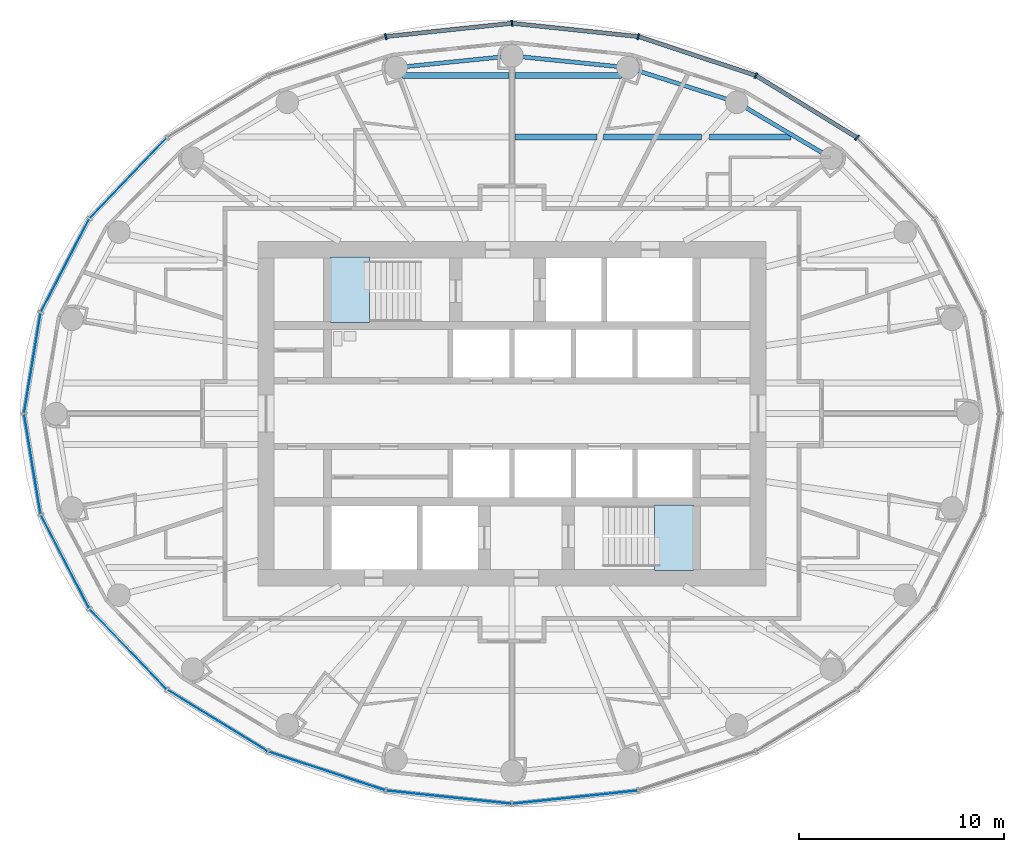
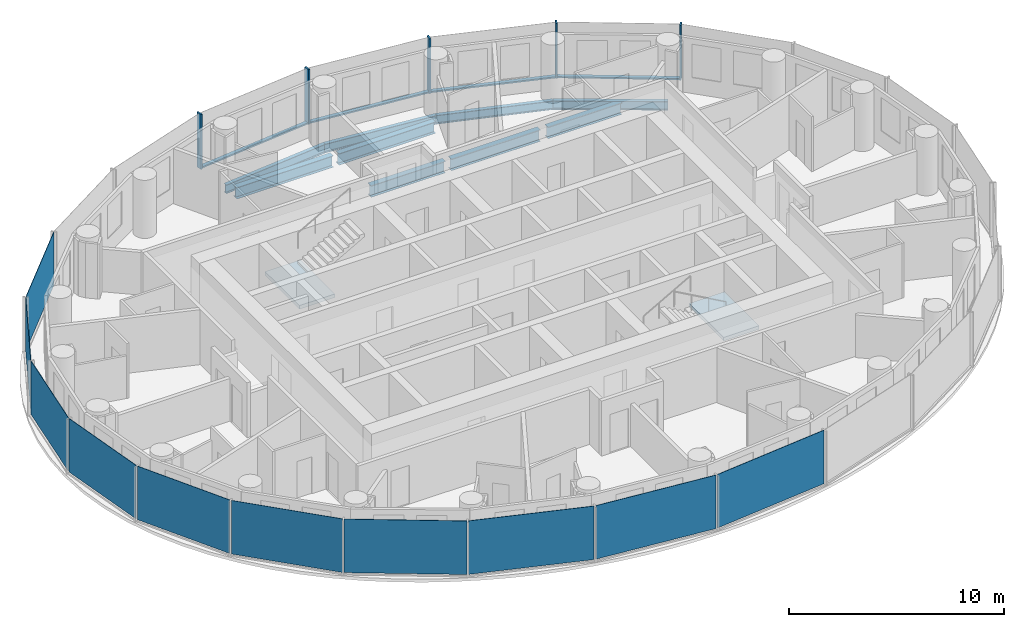
# One storey, part 4 of 16: 10 plates, 9 beams, 9 members, 2 slabs, 6 elements without a shape of their own.
"""IFC4 building model written with IfcOpenShell, lengths in metres."""

from ifc_helpers import new_model, si_unit, direction, frame, origin, origin_2d, place, context, subcontext, project, spatial, polyline, rectangle, i_section, outline, extrude, material, layer, layer_set, material_profile, profile_set, type_object, element, aggregate, save


model = new_model("IFC4")

# Units and contexts
model_context = context("Model", 3, precision=1e-05, world=origin(), true_north=direction((0.0, 1.0)))
body_context = subcontext(model_context, "Body", "Model", "MODEL_VIEW")
ifc_project = project(units=[si_unit("LENGTHUNIT", "METRE"), si_unit("AREAUNIT", "SQUARE_METRE"), si_unit("VOLUMEUNIT", "CUBIC_METRE"), si_unit("PLANEANGLEUNIT", "RADIAN"), si_unit("MASSUNIT", "GRAM", prefix="KILO")], contexts=[model_context])

# Site, building, storey
site_placement = place(None, origin())
site = spatial("IfcSite", under=ifc_project, at=site_placement, CompositionType="ELEMENT")
building_placement = place(site_placement, origin())
building = spatial("IfcBuilding", under=site, at=building_placement, Name="Hankou Lantern Tower", CompositionType="ELEMENT")
storey_placement = place(building_placement, frame((0.0, 0.0, 146.699951171875)))
storey = spatial("IfcBuildingStorey", under=building, at=storey_placement, Name="L38", CompositionType="ELEMENT", Elevation=146.699951171875)

# Beams
ifc_material_1 = material(Name="Steel Q355B", Category="steel")
ifc_material_profile_1 = material_profile(ifc_material_1, i_section(OverallWidth=0.199951171875, OverallDepth=0.5, WebThickness=0.010009765625, FlangeThickness=0.01611328125, FilletRadius=0.012939453125, at=origin_2d()), Name="HN500x200x10x16")
ifc_profile_set_1 = profile_set([ifc_material_profile_1], Name="Steel Q355B")
beam_type_1 = type_object("IfcBeamType", Name="EB5 RING BEAM HN500x200x10x16", PredefinedType="SPANDREL", material=ifc_profile_set_1)
beam_1_placement = place(storey_placement, frame((15.576171875, 12.4609375, -0.429931640625), z_axis=(-0.861135888339, 0.508374843806, 0.0), x_axis=(-0.508374843806, -0.861135888339, 0.0)))
element("IfcBeam", 1, at=beam_1_placement, inside=storey, type_object=beam_type_1, Name="Ring beam R04-R05 L38", PredefinedType="SPANDREL", context=body_context, shape_type="SweptSolid", body=[
    extrude(i_section(OverallWidth=0.199951171875, OverallDepth=0.5, WebThickness=0.010009765625, FlangeThickness=0.01611328125, FilletRadius=0.012939453125, at=origin_2d()), origin(), (0.0, 0.0, 1.0), 5.36083984375),
])
beam_2_placement = place(storey_placement, frame((10.959716796875, 15.186279296875, -0.429931640625), z_axis=(-0.952790404271, 0.30362879562, 0.0), x_axis=(-0.30362879562, -0.952790404271, 0.0)))
element("IfcBeam", 2, at=beam_2_placement, inside=storey, type_object=beam_type_1, Name="Ring beam R05-R06 L38", PredefinedType="SPANDREL", context=body_context, shape_type="SweptSolid", body=[
    extrude(i_section(OverallWidth=0.199951171875, OverallDepth=0.5, WebThickness=0.010009765625, FlangeThickness=0.01611328125, FilletRadius=0.012939453125, at=origin_2d()), origin(), (0.0, 0.0, 1.0), 5.56982421875),
])
for number, where, z_axis, x_axis, name in (
    (3, (5.65283203125, 16.87744140625, -0.429931640625), (-0.9949104636, 0.100762936734, 0.0), (-0.100762936734, -0.9949104636, 0.0), "Ring beam R06-R07 L38"),
    (4, (0.0, 17.449951171875, -0.429931640625), (-0.9949104636, -0.100762936734, 0.0), (0.100762936734, -0.9949104636, 0.0), "Ring beam R07-R08 L38"),
):
    element("IfcBeam", number, at=place(storey_placement, frame(where, z_axis=z_axis, x_axis=x_axis)), inside=storey, type_object=beam_type_1, Name=name, PredefinedType="SPANDREL", context=body_context, shape_type="SweptSolid", body=[
        extrude(i_section(OverallWidth=0.199951171875, OverallDepth=0.5, WebThickness=0.010009765625, FlangeThickness=0.01611328125, FilletRadius=0.012939453125, at=origin_2d()), origin(), (0.0, 0.0, 1.0), 5.681640625),
    ])

# Curtain wall, members
ifc_material_2 = material(Name="Glass, dark grey tinted laminated", Category="glass")
curtain_wall_type = type_object("IfcCurtainWallType", Name="CWC OUTER SKIN HIGH-RISE", PredefinedType="USERDEFINED", material=ifc_material_2)
curtain_wall_1_placement = place(storey_placement, origin())
curtain_wall_1 = element("IfcCurtainWall", 5, at=curtain_wall_1_placement, inside=storey, type_object=curtain_wall_type, Name="CWC L38 OS1", ObjectType="OUTER SKIN HIGH-RISE", PredefinedType="USERDEFINED")
ifc_material_3 = material(Name="Aluminium, black anodised", Category="aluminium")
ifc_material_profile_2 = material_profile(ifc_material_3, rectangle(XDim=0.080078125, YDim=0.300048828125, at=origin_2d()), Name="MU1 80X300")
ifc_profile_set_2 = profile_set([ifc_material_profile_2], Name="Aluminium, black anodised")
member_type_1 = type_object("IfcMemberType", Name="MU1 OUTER SKIN MULLION 80X300", PredefinedType="MULLION", material=ifc_profile_set_2)
member_1_placement = place(storey_placement, frame((16.8291015625, 13.46337890625, 0.0), z_axis=(0.0, 0.0, 1.0), x_axis=(-0.780868809444, 0.624695047553, 0.0)))
member_1 = element("IfcMember", 6, at=member_1_placement, type_object=member_type_1, Name="CWC mullion 4", PredefinedType="MULLION", context=body_context, shape_type="SweptSolid", body=[
    extrude(rectangle(XDim=0.080078125, YDim=0.300048828125, at=origin_2d()), origin(), (0.0, 0.0, 1.0), 3.1201171875),
])
member_2_placement = place(storey_placement, frame((11.89990234375, 16.489013671875, 0.0), z_axis=(0.0, 0.0, 1.0), x_axis=(-0.907841299004, 0.419313934686, 0.0)))
member_2 = element("IfcMember", 7, at=member_2_placement, type_object=member_type_1, Name="CWC mullion 5", PredefinedType="MULLION", context=body_context, shape_type="SweptSolid", body=[
    extrude(rectangle(XDim=0.080078125, YDim=0.300048828125, at=origin_2d()), origin(), (0.0, 0.0, 1.0), 3.1201171875),
])
member_3_placement = place(storey_placement, frame((6.159912109375, 18.39111328125, 0.0), z_axis=(0.0, 0.0, 1.0), x_axis=(-0.977787659625, 0.209597931016, 0.0)))
member_3 = element("IfcMember", 8, at=member_3_placement, type_object=member_type_1, Name="CWC mullion 6", PredefinedType="MULLION", context=body_context, shape_type="SweptSolid", body=[
    extrude(rectangle(XDim=0.080078125, YDim=0.300048828125, at=origin_2d()), origin(), (0.0, 0.0, 1.0), 3.1201171875),
])

curtain_wall_2_placement = place(storey_placement, origin())
curtain_wall_2 = element("IfcCurtainWall", 9, at=curtain_wall_2_placement, inside=storey, type_object=curtain_wall_type, Name="CWC L38 OS2", ObjectType="OUTER SKIN HIGH-RISE", PredefinedType="USERDEFINED")
member_4_placement = place(storey_placement, frame((0.0, 19.0400390625, 0.0), z_axis=(0.0, 0.0, 1.0), x_axis=(-0.994499359107, -0.104742659579, 0.0)))
member_4 = element("IfcMember", 10, at=member_4_placement, type_object=member_type_1, Name="CWC mullion 1", PredefinedType="MULLION", context=body_context, shape_type="SweptSolid", body=[
    extrude(rectangle(XDim=0.080078125, YDim=0.300048828125, at=origin_2d()), origin(), (0.0, 0.0, 1.0), 3.1201171875),
])
member_5_placement = place(storey_placement, frame((-6.159912109375, 18.39111328125, 0.0), z_axis=(0.0, 0.0, 1.0), x_axis=(-0.977787659625, -0.209597931016, 0.0)))
member_5 = element("IfcMember", 11, at=member_5_placement, type_object=member_type_1, Name="CWC mullion 2", PredefinedType="MULLION", context=body_context, shape_type="SweptSolid", body=[
    extrude(rectangle(XDim=0.080078125, YDim=0.300048828125, at=origin_2d()), origin(), (0.0, 0.0, 1.0), 3.1201171875),
])

# Beams
ifc_material_4 = material(Name="Steel Q355B", Category="steel")
ifc_material_profile_3 = material_profile(ifc_material_4, i_section(OverallWidth=0.300048828125, OverallDepth=0.64990234375, WebThickness=0.010986328125, FlangeThickness=0.01708984375, FilletRadius=0.01806640625, at=origin_2d()), Name="HN650x300x11x17")
ifc_profile_set_3 = profile_set([ifc_material_profile_3], Name="Steel Q355B")
beam_type_2 = type_object("IfcBeamType", Name="SB8 SECONDARY BEAM HN650x300x11x17", PredefinedType="JOIST", material=ifc_profile_set_3)
beam_3_placement = place(storey_placement, frame((0.14990234375, 13.5, -0.5048828125), z_axis=(1.0, 0.0, 0.0), x_axis=(0.0, 1.0, 0.0)))
element("IfcBeam", 12, at=beam_3_placement, inside=storey, type_object=beam_type_2, Name="Floor joist J038 L38", PredefinedType="JOIST", context=body_context, shape_type="SweptSolid", body=[
    extrude(i_section(OverallWidth=0.300048828125, OverallDepth=0.64990234375, WebThickness=0.010986328125, FlangeThickness=0.01708984375, FilletRadius=0.01806640625, at=origin_2d()), origin(), (0.0, 0.0, 1.0), 3.986083984375),
])
beam_4_placement = place(storey_placement, frame((4.459228515625, 13.5, -0.5048828125), z_axis=(1.0, 0.0, 0.0), x_axis=(0.0, 1.0, 0.0)))
element("IfcBeam", 13, at=beam_4_placement, inside=storey, type_object=beam_type_2, Name="Floor joist J039 L38", PredefinedType="JOIST", context=body_context, shape_type="SweptSolid", body=[
    extrude(i_section(OverallWidth=0.300048828125, OverallDepth=0.64990234375, WebThickness=0.010986328125, FlangeThickness=0.01708984375, FilletRadius=0.01806640625, at=origin_2d()), origin(), (0.0, 0.0, 1.0), 4.780517578125),
])
beam_5_placement = place(storey_placement, frame((9.643310546875, 13.5, -0.5048828125), z_axis=(1.0, 0.0, 0.0), x_axis=(0.0, 1.0, 0.0)))
element("IfcBeam", 14, at=beam_5_placement, inside=storey, type_object=beam_type_2, Name="Floor joist J040 L38", PredefinedType="JOIST", context=body_context, shape_type="SweptSolid", body=[
    extrude(i_section(OverallWidth=0.300048828125, OverallDepth=0.64990234375, WebThickness=0.010986328125, FlangeThickness=0.01708984375, FilletRadius=0.01806640625, at=origin_2d()), origin(), (0.0, 0.0, 1.0), 3.97607421875),
])
for number, where, z_axis, x_axis, name in (
    (15, (-5.33984375, 16.5, -0.5048828125), (1.0, 0.0, 0.0), (0.0, 1.0, 0.0), "Floor joist J041 L38"),
    (16, (0.14990234375, 16.5, -0.5048828125), (1.0, 0.0, 0.0), (0.0, 1.0, 0.0), "Floor joist J042 L38"),
):
    element("IfcBeam", number, at=place(storey_placement, frame(where, z_axis=z_axis, x_axis=x_axis)), inside=storey, type_object=beam_type_2, Name=name, PredefinedType="JOIST", context=body_context, shape_type="SweptSolid", body=[
        extrude(i_section(OverallWidth=0.300048828125, OverallDepth=0.64990234375, WebThickness=0.010986328125, FlangeThickness=0.01708984375, FilletRadius=0.01806640625, at=origin_2d()), origin(), (0.0, 0.0, 1.0), 5.18994140625),
    ])

# Member
ifc_material_5 = material(Name="Aluminium, black anodised", Category="aluminium")
ifc_material_profile_4 = material_profile(ifc_material_5, rectangle(XDim=0.199951171875, YDim=0.080078125, at=origin_2d()), Name="TR1 200X80")
ifc_profile_set_4 = profile_set([ifc_material_profile_4], Name="Aluminium, black anodised")
member_type_2 = type_object("IfcMemberType", Name="TR1 OUTER SKIN TRANSOM 200X80", PredefinedType="USERDEFINED", material=ifc_profile_set_4)
member_6_placement = place(storey_placement, frame((16.795166015625, 13.484130859375, 0.0400390625), z_axis=(-0.852229482357, 0.523168146394, 0.0), x_axis=(-0.523168146394, -0.852229482357, 0.0)))
member_6 = element("IfcMember", 17, at=member_6_placement, type_object=member_type_2, Name="CWC transom 4", ObjectType="TRANSOM", PredefinedType="USERDEFINED", context=body_context, shape_type="SweptSolid", body=[
    extrude(rectangle(XDim=0.199951171875, YDim=0.080078125, at=origin_2d()), origin(), (0.0, 0.0, 1.0), 5.703857421875),
])

member_7_placement = place(storey_placement, frame((11.862060546875, 16.501708984375, 0.0400390625), z_axis=(-0.949242327551, 0.314545709849, 0.0), x_axis=(-0.314545709849, -0.949242327551, 0.0)))
member_7 = element("IfcMember", 18, at=member_7_placement, type_object=member_type_2, Name="CWC transom 5", ObjectType="TRANSOM", PredefinedType="USERDEFINED", context=body_context, shape_type="SweptSolid", body=[
    extrude(rectangle(XDim=0.199951171875, YDim=0.080078125, at=origin_2d()), origin(), (0.0, 0.0, 1.0), 5.96728515625),
])

member_8_placement = place(storey_placement, frame((6.1201171875, 18.3955078125, 0.0400390625), z_axis=(-0.994499543631, 0.104740907567, 0.0), x_axis=(-0.104740907567, -0.994499543631, 0.0)))
member_8 = element("IfcMember", 19, at=member_8_placement, type_object=member_type_2, Name="CWC transom 6", ObjectType="TRANSOM", PredefinedType="USERDEFINED", context=body_context, shape_type="SweptSolid", body=[
    extrude(rectangle(XDim=0.199951171875, YDim=0.080078125, at=origin_2d()), origin(), (0.0, 0.0, 1.0), 6.114013671875),
])

aggregate(curtain_wall_1, [member_1, member_2, member_3, member_6, member_7, member_8])

member_9_placement = place(storey_placement, frame((-0.039794921875, 19.035888671875, 0.0400390625), z_axis=(-0.994499543631, -0.104740907567, 0.0), x_axis=(0.104740907567, -0.994499543631, 0.0)))
member_9 = element("IfcMember", 20, at=member_9_placement, type_object=member_type_2, Name="CWC transom 1", ObjectType="TRANSOM", PredefinedType="USERDEFINED", context=body_context, shape_type="SweptSolid", body=[
    extrude(rectangle(XDim=0.199951171875, YDim=0.080078125, at=origin_2d()), origin(), (0.0, 0.0, 1.0), 6.114013671875),
])

# Plate
ifc_material_6 = material(Name="Glass, dark grey tinted laminated", Category="glass")
ifc_layer_1 = layer(ifc_material_6, 0.02392578125)
ifc_layer_set_1 = layer_set([ifc_layer_1], Name="Glass, dark grey tinted laminated")
plate_type = type_object("IfcPlateType", Name="PN1 OUTER SKIN GLASS PANEL", PredefinedType="CURTAIN_PANEL", material=ifc_layer_set_1)
plate_1_placement = place(storey_placement, frame((-18.72021484375, 11.49169921875, 0.080078125), z_axis=(0.0, 0.0, 1.0), x_axis=(-0.692215809936, -0.721690565599, 0.0)))
plate_1 = element("IfcPlate", 21, at=plate_1_placement, type_object=plate_type, Name="CWC glass panel 4", PredefinedType="CURTAIN_PANEL", context=body_context, shape_type="SweptSolid", body=[
    extrude(rectangle(XDim=5.384033203125, YDim=0.02392578125, at=origin_2d()), origin(), (0.0, 0.0, 1.0), 3.0400390625),
])

plate_2_placement = place(storey_placement, frame((-21.80029296875, 7.223876953125, 0.080078125), z_axis=(0.0, 0.0, 1.0), x_axis=(-0.459791091957, -0.888027112062, 0.0)))
plate_2 = element("IfcPlate", 22, at=plate_2_placement, type_object=plate_type, Name="CWC glass panel 5", PredefinedType="CURTAIN_PANEL", context=body_context, shape_type="SweptSolid", body=[
    extrude(rectangle(XDim=5.091064453125, YDim=0.02392578125, at=origin_2d()), origin(), (0.0, 0.0, 1.0), 3.0400390625),
])

plate_3_placement = place(storey_placement, frame((-23.39453125, 2.4638671875, 0.080078125), z_axis=(0.0, 0.0, 1.0), x_axis=(-0.162381515188, -0.986728049427, 0.0)))
plate_3 = element("IfcPlate", 23, at=plate_3_placement, type_object=plate_type, Name="CWC glass panel 6", PredefinedType="CURTAIN_PANEL", context=body_context, shape_type="SweptSolid", body=[
    extrude(rectangle(XDim=4.914306640625, YDim=0.02392578125, at=origin_2d()), origin(), (0.0, 0.0, 1.0), 3.0400390625),
])

aggregate(curtain_wall_2, [member_4, member_5, member_9, plate_1, plate_2, plate_3])

# Curtain wall, plates
curtain_wall_3_placement = place(storey_placement, origin())
curtain_wall_3 = element("IfcCurtainWall", 24, at=curtain_wall_3_placement, inside=storey, type_object=curtain_wall_type, Name="CWC L38 OS3", ObjectType="OUTER SKIN HIGH-RISE", PredefinedType="USERDEFINED")
plate_4_placement = place(storey_placement, frame((-23.39453125, -2.4638671875, 0.080078125), z_axis=(0.0, 0.0, 1.0), x_axis=(0.162381515188, -0.986728049427, 0.0)))
plate_4 = element("IfcPlate", 25, at=plate_4_placement, type_object=plate_type, Name="CWC glass panel 1", PredefinedType="CURTAIN_PANEL", context=body_context, shape_type="SweptSolid", body=[
    extrude(rectangle(XDim=4.914306640625, YDim=0.02392578125, at=origin_2d()), origin(), (0.0, 0.0, 1.0), 3.0400390625),
])
plate_5_placement = place(storey_placement, frame((-21.80029296875, -7.223876953125, 0.080078125), z_axis=(0.0, 0.0, 1.0), x_axis=(0.459791091957, -0.888027112062, 0.0)))
plate_5 = element("IfcPlate", 26, at=plate_5_placement, type_object=plate_type, Name="CWC glass panel 2", PredefinedType="CURTAIN_PANEL", context=body_context, shape_type="SweptSolid", body=[
    extrude(rectangle(XDim=5.091064453125, YDim=0.02392578125, at=origin_2d()), origin(), (0.0, 0.0, 1.0), 3.0400390625),
])
plate_6_placement = place(storey_placement, frame((-18.72021484375, -11.49169921875, 0.080078125), z_axis=(0.0, 0.0, 1.0), x_axis=(0.692215809936, -0.721690565599, 0.0)))
plate_6 = element("IfcPlate", 27, at=plate_6_placement, type_object=plate_type, Name="CWC glass panel 3", PredefinedType="CURTAIN_PANEL", context=body_context, shape_type="SweptSolid", body=[
    extrude(rectangle(XDim=5.384033203125, YDim=0.02392578125, at=origin_2d()), origin(), (0.0, 0.0, 1.0), 3.0400390625),
])
plate_7_placement = place(storey_placement, frame((-14.364501953125, -14.976318359375, 0.080078125), z_axis=(0.0, 0.0, 1.0), x_axis=(0.852237151549, -0.523155653242, 0.0)))
plate_7 = element("IfcPlate", 28, at=plate_7_placement, type_object=plate_type, Name="CWC glass panel 4", PredefinedType="CURTAIN_PANEL", context=body_context, shape_type="SweptSolid", body=[
    extrude(rectangle(XDim=5.703857421875, YDim=0.02392578125, at=origin_2d()), origin(), (0.0, 0.0, 1.0), 3.0400390625),
])
plate_8_placement = place(storey_placement, frame((-9.030029296875, -17.440185546875, 0.080078125), z_axis=(0.0, 0.0, 1.0), x_axis=(0.949240677293, -0.31455068999, 0.0)))
plate_8 = element("IfcPlate", 29, at=plate_8_placement, type_object=plate_type, Name="CWC glass panel 5", PredefinedType="CURTAIN_PANEL", context=body_context, shape_type="SweptSolid", body=[
    extrude(rectangle(XDim=5.967041015625, YDim=0.02392578125, at=origin_2d()), origin(), (0.0, 0.0, 1.0), 3.0400390625),
])
plate_9_placement = place(storey_placement, frame((-3.079833984375, -18.715576171875, 0.080078125), z_axis=(0.0, 0.0, 1.0), x_axis=(0.994499359107, -0.104742659579, 0.0)))
plate_9 = element("IfcPlate", 30, at=plate_9_placement, type_object=plate_type, Name="CWC glass panel 6", PredefinedType="CURTAIN_PANEL", context=body_context, shape_type="SweptSolid", body=[
    extrude(rectangle(XDim=6.114013671875, YDim=0.02392578125, at=origin_2d()), origin(), (0.0, 0.0, 1.0), 3.0400390625),
])
aggregate(curtain_wall_3, [plate_4, plate_5, plate_6, plate_7, plate_8, plate_9])

# Curtain wall, plate
curtain_wall_4_placement = place(storey_placement, origin())
curtain_wall_4 = element("IfcCurtainWall", 31, at=curtain_wall_4_placement, inside=storey, type_object=curtain_wall_type, Name="CWC L38 OS4", ObjectType="OUTER SKIN HIGH-RISE", PredefinedType="USERDEFINED")
plate_10_placement = place(storey_placement, frame((3.079833984375, -18.715576171875, 0.080078125), z_axis=(0.0, 0.0, 1.0), x_axis=(0.994499359107, 0.104742659579, 0.0)))
plate_10 = element("IfcPlate", 32, at=plate_10_placement, type_object=plate_type, Name="CWC glass panel 1", PredefinedType="CURTAIN_PANEL", context=body_context, shape_type="SweptSolid", body=[
    extrude(rectangle(XDim=6.114013671875, YDim=0.02392578125, at=origin_2d()), origin(), (0.0, 0.0, 1.0), 3.0400390625),
])
aggregate(curtain_wall_4, [plate_10])

# Stair, slab
ifc_material_7 = material(Name="Concrete C40", Category="concrete")
stair_type = type_object("IfcStairType", Name="ST33 CORE STAIR 3300 RISE", PredefinedType="HALF_TURN_STAIR", material=ifc_material_7)
stair_1_placement = place(storey_placement, origin())
stair_1 = element("IfcStair", 33, at=stair_1_placement, inside=storey, type_object=stair_type, Name="Stair STA L38", PredefinedType="HALF_TURN_STAIR")
ifc_material_8 = material(Name="Concrete C40", Category="concrete")
ifc_layer_2 = layer(ifc_material_8, 0.199951171875)
ifc_layer_set_2 = layer_set([ifc_layer_2], Name="Concrete C40")
slab_type = type_object("IfcSlabType", Name="SL1 STAIR LANDING 200", PredefinedType="LANDING", material=ifc_layer_set_2)
slab_1_placement = place(storey_placement, frame((0.0, 0.0, 1.37158203125)))
slab_1 = element("IfcSlab", 34, at=slab_1_placement, type_object=slab_type, Name="STA landing 1", PredefinedType="LANDING", context=body_context, shape_type="SweptSolid", body=[
    extrude(outline(polyline([(-8.85009765625, 4.449951171875), (-6.949951171875, 4.449951171875), (-6.949951171875, 7.64990234375), (-8.85009765625, 7.64990234375), (-8.85009765625, 4.449951171875)])), origin(), (0.0, 0.0, 1.0), 0.199951171875),
])
aggregate(stair_1, [slab_1])

stair_2_placement = place(storey_placement, origin())
stair_2 = element("IfcStair", 35, at=stair_2_placement, inside=storey, type_object=stair_type, Name="Stair STB L38", PredefinedType="HALF_TURN_STAIR")
slab_2_placement = place(storey_placement, frame((0.0, 0.0, 1.37158203125)))
slab_2 = element("IfcSlab", 36, at=slab_2_placement, type_object=slab_type, Name="STB landing 1", PredefinedType="LANDING", context=body_context, shape_type="SweptSolid", body=[
    extrude(outline(polyline([(8.85009765625, -4.449951171875), (6.949951171875, -4.449951171875), (6.949951171875, -7.64990234375), (8.85009765625, -7.64990234375), (8.85009765625, -4.449951171875)])), origin(), (0.0, 0.0, 1.0), 0.199951171875),
])
aggregate(stair_2, [slab_2])

save(model, "model.ifc")
